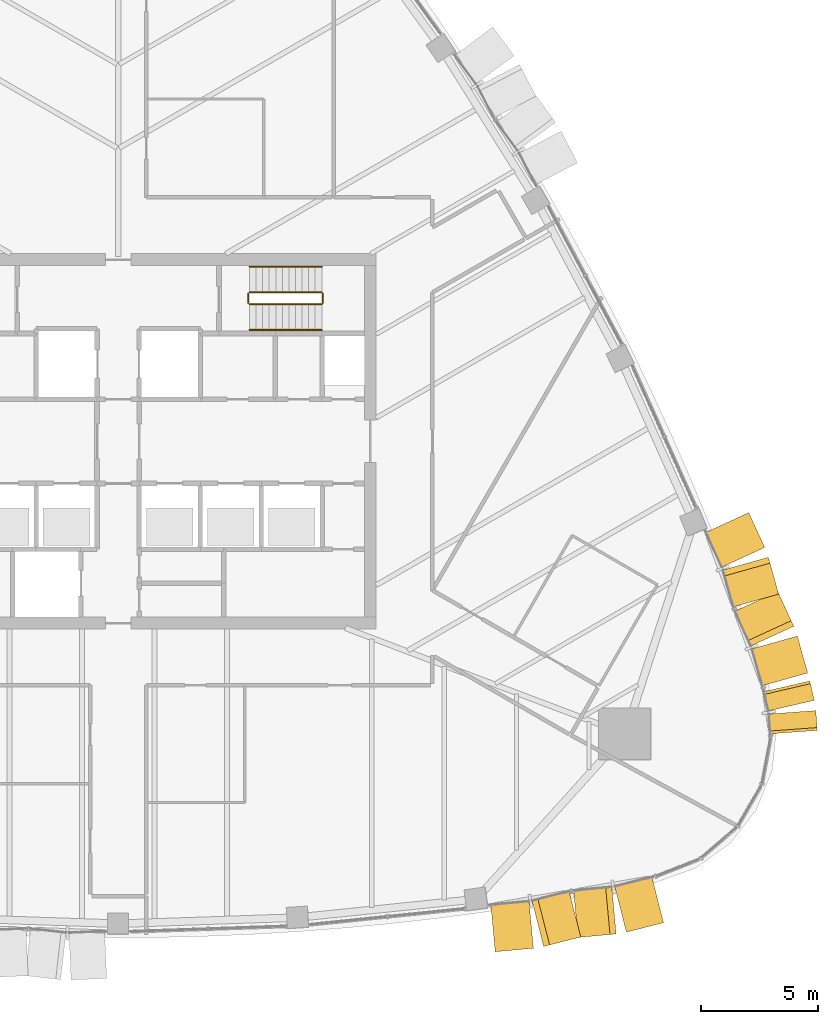
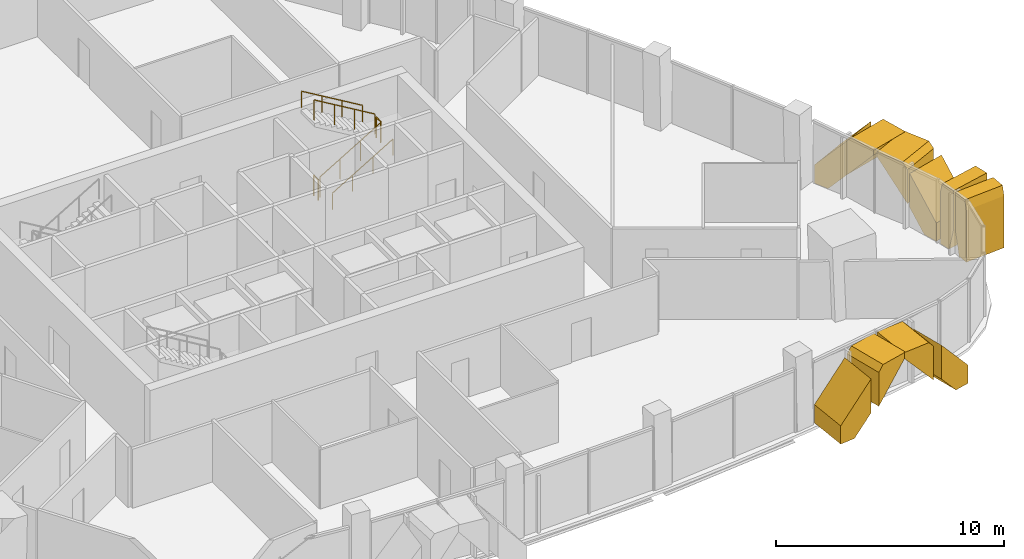
# One storey, part 16 of 18: 10 coverings, 6 railings.
"""IFC4 building model written with IfcOpenShell, lengths in metres."""

from ifc_helpers import new_model, si_unit, direction, frame, origin, origin_2d, place, context, subcontext, project, spatial, polyline, circle, outline, extrude, material, layer, layer_set, type_object, element, save


model = new_model("IFC4")

# Units and contexts
model_context = context("Model", 3, precision=1e-05, world=origin(), true_north=direction((0.0, 1.0)))
body_context = subcontext(model_context, "Body", "Model", "MODEL_VIEW")
ifc_project = project(units=[si_unit("LENGTHUNIT", "METRE"), si_unit("AREAUNIT", "SQUARE_METRE"), si_unit("VOLUMEUNIT", "CUBIC_METRE"), si_unit("PLANEANGLEUNIT", "RADIAN"), si_unit("MASSUNIT", "GRAM", prefix="KILO")], contexts=[model_context])

# Site, building, storey
site_placement = place(None, origin())
site = spatial("IfcSite", under=ifc_project, at=site_placement, CompositionType="ELEMENT")
building_placement = place(site_placement, origin())
building = spatial("IfcBuilding", under=site, at=building_placement, Name="Sierra Prisma Convention Tower", CompositionType="ELEMENT")
storey_placement = place(building_placement, frame((0.0, 0.0, 255.0)))
storey = spatial("IfcBuildingStorey", under=building, at=storey_placement, Name="L57", CompositionType="ELEMENT", Elevation=255.0)

# Coverings
ifc_material_1 = material(Name="Aluminium 6063-T6 bronze anodised", Category="aluminium")
ifc_layer = layer(ifc_material_1, 2.0)
ifc_layer_set = layer_set([ifc_layer], Name="Bronze crystal chevron frame")
covering_type = type_object("IfcCoveringType", Name="Bronze crystal chevron frame", PredefinedType="CLADDING", material=ifc_layer_set)
covering_1_placement = place(storey_placement, frame((16.07568359375, -21.76611328125, 0.0), z_axis=(0.092387783294, -0.995723102725, -1.4070859e-05), x_axis=(0.995723102823, 0.092387783304, -7.48e-10)))
element("IfcCovering", 1, at=covering_1_placement, inside=storey, type_object=covering_type, Name="CW-2 chevron frame S6.1.1", PredefinedType="CLADDING", context=body_context, shape_type="SweptSolid", body=[
    extrude(outline(polyline([(0.0, 0.0), (0.7394944964454014, 0.0), (1.635901508004083, 1.0183105481986698), (1.6359015066466551, 2.834228516768904), (-7.296310951394428e-10, 0.9760742186533741), (0.0, 0.0)])), origin(), (0.0, 0.0, -1.0), 2.0),
])
covering_2_placement = place(storey_placement, frame((18.1416015625, -21.53955078125, 2.981689453125), z_axis=(0.24712844549, -0.968982729883, 2.4880621e-05), x_axis=(6.148709e-06, -2.4108892e-05, -0.99999999969)))
element("IfcCovering", 2, at=covering_2_placement, inside=storey, type_object=covering_type, Name="CW-2 chevron frame S6.1.2", PredefinedType="CLADDING", context=body_context, shape_type="SweptSolid", body=[
    extrude(outline(polyline([(0.0, 0.0), (1.8159179681879323, 0.0), (-0.04223632829661278, 1.6359496027668317), (-0.29833984384234297, 1.6359496027668317), (-0.2983398451250181, 0.2625527762135813), (0.0, 0.0)])), origin(), (0.0, 0.0, -1.0), 2.0),
])
covering_3_placement = place(storey_placement, frame((19.6044921875, -21.156494140625, 3.280029296875), z_axis=(0.092385958908, -0.995723271373, 3.7981061e-05), x_axis=(3.508917e-06, -3.7818627e-05, -0.999999999279)))
element("IfcCovering", 3, at=covering_3_placement, inside=storey, type_object=covering_type, Name="CW-2 chevron frame S6.2.1", PredefinedType="CLADDING", context=body_context, shape_type="SweptSolid", body=[
    extrude(outline(polyline([(0.0, 0.0), (0.25610351544027754, 0.0), (2.1142578114054005, 1.6359015087887927), (0.2983398439651867, 1.6359015087887927), (-2.989017436118719e-09, 1.373312193762342), (0.0, 0.0)])), origin(), (0.0, 0.0, -1.0), 2.0),
])
covering_4_placement = place(storey_placement, frame((23.25537109375, -20.525634765625, 0.0), z_axis=(0.24715241658, -0.968976615778, 3.2453879e-05), x_axis=(-8.021055e-06, 3.1447049e-05, 0.999999999473)))
element("IfcCovering", 4, at=covering_4_placement, inside=storey, type_object=covering_type, Name="CW-2 chevron frame S6.2.2", PredefinedType="CLADDING", context=body_context, shape_type="SweptSolid", body=[
    extrude(outline(polyline([(0.0, 0.0), (0.9760742182359728, 0.0), (2.834228515204958, 1.6359496024498659), (1.01831054741127, 1.6359496024498659), (-2.9406775843363386e-09, 0.7395174631160372), (0.0, 0.0)])), origin(), (0.0, 0.0, -1.0), 2.0),
])
covering_5_placement = place(storey_placement, frame((29.8095703125, -12.326904296875, 0.0), z_axis=(0.997449946818, 0.071369478701, 3.3207256e-05), x_axis=(-0.071369478741, 0.997449947368, 6.8e-11)))
element("IfcCovering", 5, at=covering_5_placement, inside=storey, type_object=covering_type, Name="CW-2 chevron frame SE5.1.1", PredefinedType="CLADDING", context=body_context, shape_type="SweptSolid", body=[
    extrude(outline(polyline([(0.0, 0.0), (0.5575742688327325, -2.117582368135751e-22), (0.8481112545629385, 1.1948242186201488), (0.8481112547044947, 3.2800292955954484), (0.12043815338177093, 3.280029301498854), (1.8902340769986797e-10, 2.784423826589778), (0.0, 0.0)])), origin(), (0.0, 0.0, -1.0), 2.0),
])
covering_6_placement = place(storey_placement, frame((29.6826171875, -11.04248046875, 3.280029296875), z_axis=(0.974060893601, 0.22628604358, 4.5146241e-05), x_axis=(4.3975188e-05, 1.0215964e-05, -0.999999998981)))
element("IfcCovering", 6, at=covering_6_placement, inside=storey, type_object=covering_type, Name="CW-2 chevron frame SE5.1.2", PredefinedType="CLADDING", context=body_context, shape_type="SweptSolid", body=[
    extrude(outline(polyline([(0.0, 0.0), (2.085205075999985, 0.0), (3.2800292987064243, 0.2907181600375158), (3.280029295076637, 0.8481647699560505), (0.49560546978921965, 0.8481647699560505), (-6.422743505714746e-09, 0.7276469376409838), (0.0, 0.0)])), origin(), (0.0, 0.0, -1.0), 2.0),
])
covering_7_placement = place(storey_placement, frame((29.403564453125, -9.876953125, 0.0), z_axis=(0.96269731565, 0.270580629803, -3.4862043e-05), x_axis=(-0.270580629967, 0.962697316235, -4.588e-09)))
element("IfcCovering", 7, at=covering_7_placement, inside=storey, type_object=covering_type, Name="CW-2 chevron frame NE1.1.1", PredefinedType="CLADDING", context=body_context, shape_type="SweptSolid", body=[
    extrude(outline(polyline([(0.0, 0.0), (0.7395267311316146, 0.0), (1.6359675415101822, 1.018310555000363), (1.6359675331779335, 2.834228522646864), (-4.478667722658714e-09, 0.9760742181568581), (0.0, 0.0)])), origin(), (0.0, 0.0, -1.0), 2.0),
])
covering_8_placement = place(storey_placement, frame((28.807861328125, -7.885986328125, 2.981689453125), z_axis=(0.908522425899, 0.417836089515, 6.2749222e-05), x_axis=(5.7009076e-05, 2.621889e-05, -0.999999998031)))
element("IfcCovering", 8, at=covering_8_placement, inside=storey, type_object=covering_type, Name="CW-2 chevron frame NE1.1.2", PredefinedType="CLADDING", context=body_context, shape_type="SweptSolid", body=[
    extrude(outline(polyline([(0.0, 0.0), (1.8159179651749435, 0.0), (-0.042236329216550635, 1.6359925763445926), (-0.29833984433735133, 1.6359925763445926), (-0.2983398524958632, 0.2626105108649207), (0.0, 0.0)])), origin(), (0.0, 0.0, -1.0), 2.0),
])
covering_9_placement = place(storey_placement, frame((28.167236328125, -6.51611328125, 3.280029296875), z_axis=(0.962692644258, 0.270597251706, -7.766399e-06), x_axis=(-7.476655e-06, -2.101566e-06, -0.99999999997)))
element("IfcCovering", 9, at=covering_9_placement, inside=storey, type_object=covering_type, Name="CW-2 chevron frame NE1.2.1", PredefinedType="CLADDING", context=body_context, shape_type="SweptSolid", body=[
    extrude(outline(polyline([(0.0, 0.0), (0.25610351561727634, 0.0), (2.114257812454232, 1.635732512941997), (0.29833984375899747, 1.635732512941997), (-1.2497800998819504e-10, 1.3732494350401159), (0.0, 0.0)])), origin(), (0.0, 0.0, -1.0), 2.0),
])
covering_10_placement = place(storey_placement, frame((26.887939453125, -3.0390625, 0.0), z_axis=(0.908548228578, 0.417779985576, 6.7229e-08), x_axis=(-6.1081e-08, -2.8087e-08, 1.0)))
element("IfcCovering", 10, at=covering_10_placement, inside=storey, type_object=covering_type, Name="CW-2 chevron frame NE1.2.2", PredefinedType="CLADDING", context=body_context, shape_type="SweptSolid", body=[
    extrude(outline(polyline([(0.0, 0.0), (0.9760742187499978, 0.0), (2.8342285156249982, 1.6356687614700098), (1.0183105468750024, 1.6356687614700098), (-1.2619084486807492e-14, 0.7392353170340722), (0.0, 0.0)])), origin(), (0.0, 0.0, -1.0), 2.0),
])

# Railings
ifc_material_2 = material(Name="Stainless steel", Category="steel")
railing_type_1 = type_object("IfcRailingType", Name="Exit stair handrail", PredefinedType="HANDRAIL", material=ifc_material_2)
railing_1_placement = place(storey_placement, frame((5.60009765625, 4.75, 0.166748046875)))
element("IfcRailing", 11, at=railing_1_placement, inside=storey, type_object=railing_type_1, Name="L57 S4 stair handrail 1", PredefinedType="HANDRAIL", context=body_context, shape_type="SweptSolid", body=[
    extrude(circle(Radius=0.02392578125, at=origin_2d()), frame((0.0, 0.0, 0.8759765625), z_axis=(0.859290745958, 0.0, 0.51148745235), x_axis=(0.0, 1.0, 0.0)), (0.0, 0.0, 1.0), 3.584228515625),
    extrude(circle(Radius=0.02099609375, at=origin_2d()), origin(), (0.0, 0.0, 1.0), 0.851806640625),
    extrude(circle(Radius=0.02099609375, at=origin_2d()), frame((1.026611328125, 0.0, 0.611083984375)), (0.0, 0.0, 1.0), 0.851806640625),
    extrude(circle(Radius=0.02099609375, at=origin_2d()), frame((2.05322265625, 0.0, 1.22216796875)), (0.0, 0.0, 1.0), 0.851806640625),
    extrude(circle(Radius=0.02099609375, at=origin_2d()), frame((3.079833984375, 0.0, 1.833251953125)), (0.0, 0.0, 1.0), 0.851806640625),
])
railing_2_placement = place(storey_placement, frame((8.679931640625, 7.449951171875, 2.166748046875)))
element("IfcRailing", 12, at=railing_2_placement, inside=storey, type_object=railing_type_1, Name="L57 S4 stair handrail 2", PredefinedType="HANDRAIL", context=body_context, shape_type="SweptSolid", body=[
    extrude(circle(Radius=0.02392578125, at=origin_2d()), frame((0.0, 0.0, 0.8759765625), z_axis=(-0.859290745958, 0.0, 0.51148745235), x_axis=(0.0, -1.0, 0.0)), (0.0, 0.0, 1.0), 3.584228515625),
    extrude(circle(Radius=0.02099609375, at=origin_2d()), origin(), (0.0, 0.0, 1.0), 0.851806640625),
    extrude(circle(Radius=0.02099609375, at=origin_2d()), frame((-1.026611328125, 0.0, 0.611083984375)), (0.0, 0.0, 1.0), 0.851806640625),
    extrude(circle(Radius=0.02099609375, at=origin_2d()), frame((-2.05322265625, 0.0, 1.22216796875)), (0.0, 0.0, 1.0), 0.851806640625),
    extrude(circle(Radius=0.02099609375, at=origin_2d()), frame((-3.079833984375, 0.0, 1.833251953125)), (0.0, 0.0, 1.0), 0.851806640625),
])
ifc_material_3 = material(Name="Stainless steel", Category="steel")
railing_type_2 = type_object("IfcRailingType", Name="Stair guard 1100", PredefinedType="GUARDRAIL", material=ifc_material_3)
railing_3_placement = place(storey_placement, frame((5.60009765625, 5.85009765625, 0.166748046875)))
element("IfcRailing", 13, at=railing_3_placement, inside=storey, type_object=railing_type_2, Name="L57 S4 stair guard 1", PredefinedType="GUARDRAIL", context=body_context, shape_type="SweptSolid", body=[
    extrude(circle(Radius=0.02392578125, at=origin_2d()), frame((0.0, 0.0, 1.076171875), z_axis=(0.859290745958, 0.0, 0.51148745235), x_axis=(0.0, 1.0, 0.0)), (0.0, 0.0, 1.0), 3.584228515625),
    extrude(circle(Radius=0.02099609375, at=origin_2d()), origin(), (0.0, 0.0, 1.0), 1.052001953125),
    extrude(circle(Radius=0.02099609375, at=origin_2d()), frame((1.026611328125, 0.0, 0.611083984375)), (0.0, 0.0, 1.0), 1.052001953125),
    extrude(circle(Radius=0.02099609375, at=origin_2d()), frame((2.05322265625, 0.0, 1.22216796875)), (0.0, 0.0, 1.0), 1.052001953125),
    extrude(circle(Radius=0.02099609375, at=origin_2d()), frame((3.079833984375, 0.0, 1.833251953125)), (0.0, 0.0, 1.0), 1.052001953125),
])
railing_4_placement = place(storey_placement, frame((8.72998046875, 5.89990234375, 2.0)))
element("IfcRailing", 14, at=railing_4_placement, inside=storey, type_object=railing_type_2, Name="L57 S4 stair guard 2", PredefinedType="GUARDRAIL", context=body_context, shape_type="SweptSolid", body=[
    extrude(circle(Radius=0.02392578125, at=origin_2d()), frame((0.0, 0.0, 1.076171875), z_axis=(0.0, 1.0, 0.0), x_axis=(-1.0, 0.0, 0.0)), (0.0, 0.0, 1.0), 0.400146484375),
    extrude(circle(Radius=0.02099609375, at=origin_2d()), origin(), (0.0, 0.0, 1.0), 1.052001953125),
    extrude(circle(Radius=0.02099609375, at=origin_2d()), frame((0.0, 0.400146484375, 0.0)), (0.0, 0.0, 1.0), 1.052001953125),
])
railing_5_placement = place(storey_placement, frame((8.679931640625, 6.35009765625, 2.166748046875)))
element("IfcRailing", 15, at=railing_5_placement, inside=storey, type_object=railing_type_2, Name="L57 S4 stair guard 3", PredefinedType="GUARDRAIL", context=body_context, shape_type="SweptSolid", body=[
    extrude(circle(Radius=0.02392578125, at=origin_2d()), frame((0.0, 0.0, 1.076171875), z_axis=(-0.859290745958, 0.0, 0.51148745235), x_axis=(0.0, -1.0, 0.0)), (0.0, 0.0, 1.0), 3.584228515625),
    extrude(circle(Radius=0.02099609375, at=origin_2d()), origin(), (0.0, 0.0, 1.0), 1.052001953125),
    extrude(circle(Radius=0.02099609375, at=origin_2d()), frame((-1.026611328125, 0.0, 0.611083984375)), (0.0, 0.0, 1.0), 1.052001953125),
    extrude(circle(Radius=0.02099609375, at=origin_2d()), frame((-2.05322265625, 0.0, 1.22216796875)), (0.0, 0.0, 1.0), 1.052001953125),
    extrude(circle(Radius=0.02099609375, at=origin_2d()), frame((-3.079833984375, 0.0, 1.833251953125)), (0.0, 0.0, 1.0), 1.052001953125),
])
railing_6_placement = place(storey_placement, frame((5.550048828125, 5.89990234375, 0.0)))
element("IfcRailing", 16, at=railing_6_placement, inside=storey, type_object=railing_type_2, Name="L57 S4 stair guard 4", PredefinedType="GUARDRAIL", context=body_context, shape_type="SweptSolid", body=[
    extrude(circle(Radius=0.02392578125, at=origin_2d()), frame((0.0, 0.0, 1.076171875), z_axis=(0.0, 1.0, 0.0), x_axis=(-1.0, 0.0, 0.0)), (0.0, 0.0, 1.0), 0.400146484375),
    extrude(circle(Radius=0.02099609375, at=origin_2d()), origin(), (0.0, 0.0, 1.0), 1.052001953125),
    extrude(circle(Radius=0.02099609375, at=origin_2d()), frame((0.0, 0.400146484375, 0.0)), (0.0, 0.0, 1.0), 1.052001953125),
])

save(model, "model.ifc")
